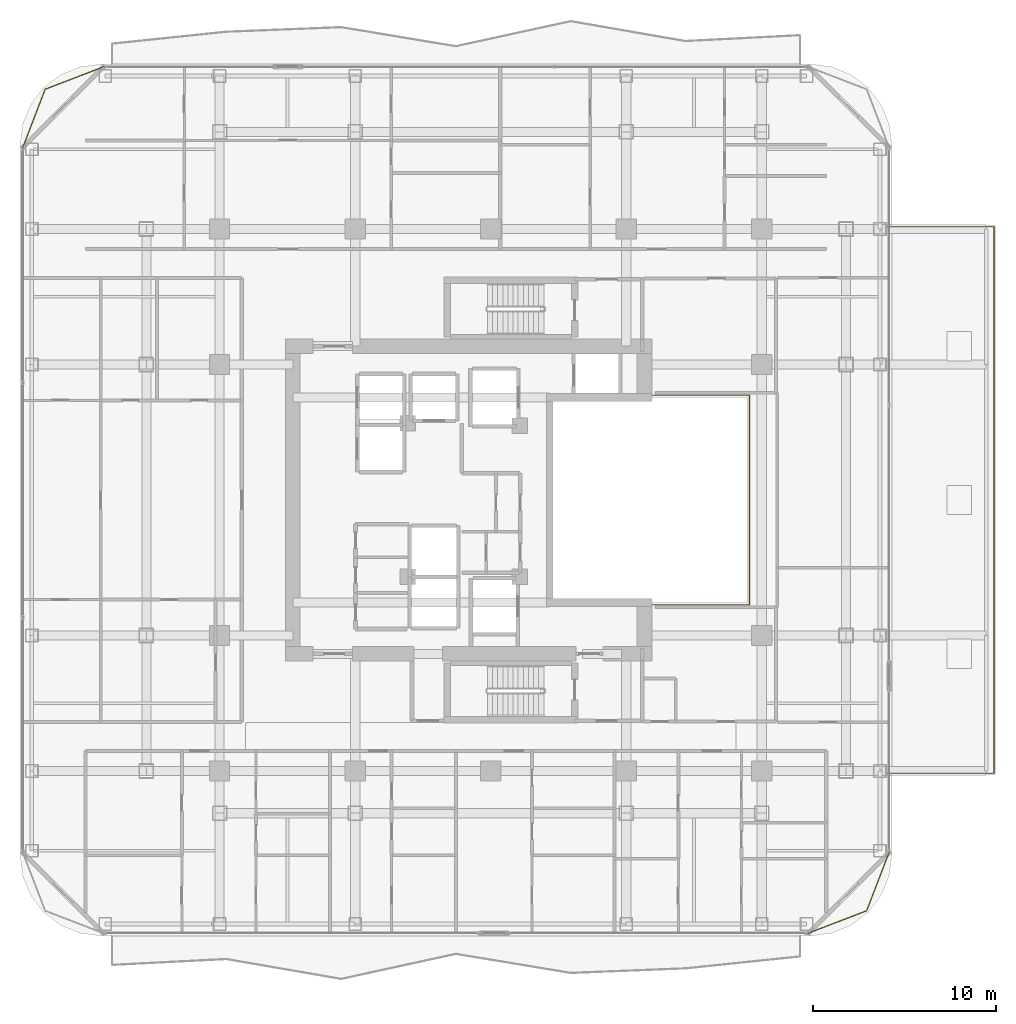
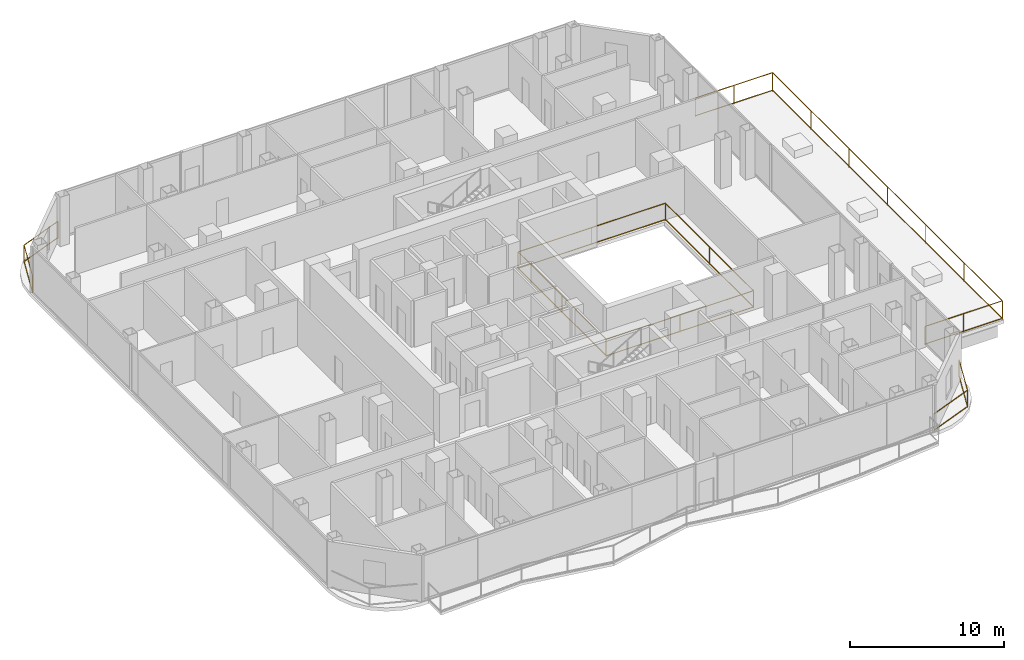
# One storey, part 26 of 27: 4 railings.
"""IFC4 building model written with IfcOpenShell, lengths in metres."""

from ifc_helpers import new_model, si_unit, direction, frame, origin, origin_2d, place, context, subcontext, project, spatial, rectangle, extrude, material, type_object, element, save


model = new_model("IFC4")

# Units and contexts
model_context = context("Model", 3, precision=1e-05, world=origin(), true_north=direction((0.0, 1.0)))
body_context = subcontext(model_context, "Body", "Model", "MODEL_VIEW")
ifc_project = project(units=[si_unit("LENGTHUNIT", "METRE"), si_unit("AREAUNIT", "SQUARE_METRE"), si_unit("VOLUMEUNIT", "CUBIC_METRE"), si_unit("PLANEANGLEUNIT", "RADIAN"), si_unit("MASSUNIT", "GRAM", prefix="KILO")], contexts=[model_context])

# Site, building, storey
site_placement = place(None, origin())
site = spatial("IfcSite", under=ifc_project, at=site_placement, CompositionType="ELEMENT")
building_placement = place(site_placement, origin())
building = spatial("IfcBuilding", under=site, at=building_placement, Name="Khorvyn Point Tower", CompositionType="ELEMENT")
storey_placement = place(building_placement, frame((0.0, 0.0, 168.0)))
storey = spatial("IfcBuildingStorey", under=building, at=storey_placement, Name="L41", CompositionType="ELEMENT", Elevation=168.0)

# Railings
ifc_material_1 = material(Name="Stainless steel 1.4401 and laminated glass", Category="steel")
railing_type_1 = type_object("IfcRailingType", Name="Crystal Atrium Smoke-Rated Perimeter Guardrail 1400", PredefinedType="GUARDRAIL", material=ifc_material_1)
railing_1_placement = place(storey_placement, frame((3.080078125, -5.719970703125, 0.0)))
element("IfcRailing", 1, at=railing_1_placement, inside=storey, type_object=railing_type_1, Name="L41 Crystal Atrium Perimeter Guardrail", PredefinedType="GUARDRAIL", context=body_context, shape_type="SweptSolid", body=[
    extrude(rectangle(XDim=0.048095703125, YDim=0.048095703125, at=origin_2d()), frame((0.0, 0.0, 1.3759765625), z_axis=(1.0, 0.0, 0.0), x_axis=(0.0, 1.0, 0.0)), (0.0, 0.0, 1.0), 11.0400390625),
    extrude(rectangle(XDim=0.048095703125, YDim=0.048095703125, at=origin_2d()), frame((0.0, 0.0, 0.080078125), z_axis=(1.0, 0.0, 0.0), x_axis=(0.0, 1.0, 0.0)), (0.0, 0.0, 1.0), 11.0400390625),
    extrude(rectangle(XDim=0.048095703125, YDim=0.048095703125, at=origin_2d()), frame((11.0400390625, 0.0, 1.3759765625), z_axis=(0.0, 1.0, 0.0), x_axis=(-1.0, 0.0, 0.0)), (0.0, 0.0, 1.0), 11.43994140625),
    extrude(rectangle(XDim=0.048095703125, YDim=0.048095703125, at=origin_2d()), frame((11.0400390625, 0.0, 0.080078125), z_axis=(0.0, 1.0, 0.0), x_axis=(-1.0, 0.0, 0.0)), (0.0, 0.0, 1.0), 11.43994140625),
    extrude(rectangle(XDim=0.048095703125, YDim=0.048095703125, at=origin_2d()), frame((11.0400390625, 11.43994140625, 1.3759765625), z_axis=(-1.0, 0.0, 0.0), x_axis=(0.0, -1.0, 0.0)), (0.0, 0.0, 1.0), 11.0400390625),
    extrude(rectangle(XDim=0.048095703125, YDim=0.048095703125, at=origin_2d()), frame((11.0400390625, 11.43994140625, 0.080078125), z_axis=(-1.0, 0.0, 0.0), x_axis=(0.0, -1.0, 0.0)), (0.0, 0.0, 1.0), 11.0400390625),
    extrude(rectangle(XDim=0.048095703125, YDim=0.048095703125, at=origin_2d()), frame((0.0, 11.43994140625, 1.3759765625), z_axis=(0.0, -1.0, 0.0), x_axis=(1.0, 0.0, 0.0)), (0.0, 0.0, 1.0), 11.409912109375),
    extrude(rectangle(XDim=0.048095703125, YDim=0.048095703125, at=origin_2d()), frame((0.0, 11.43994140625, 0.080078125), z_axis=(0.0, -1.0, 0.0), x_axis=(1.0, 0.0, 0.0)), (0.0, 0.0, 1.0), 11.409912109375),
    extrude(rectangle(XDim=0.0419921875, YDim=0.0419921875, at=origin_2d()), origin(), (0.0, 0.0, 1.0), 1.351806640625),
    extrude(rectangle(XDim=0.0419921875, YDim=0.0419921875, at=origin_2d()), frame((5.52001953125, 0.0, 0.0)), (0.0, 0.0, 1.0), 1.351806640625),
    extrude(rectangle(XDim=0.0419921875, YDim=0.0419921875, at=origin_2d()), frame((11.0400390625, 0.0, 0.0)), (0.0, 0.0, 1.0), 1.351806640625),
    extrude(rectangle(XDim=0.0419921875, YDim=0.0419921875, at=origin_2d()), frame((11.0400390625, 5.719970703125, 0.0)), (0.0, 0.0, 1.0), 1.351806640625),
    extrude(rectangle(XDim=0.0419921875, YDim=0.0419921875, at=origin_2d()), frame((11.0400390625, 11.43994140625, 0.0)), (0.0, 0.0, 1.0), 1.351806640625),
    extrude(rectangle(XDim=0.0419921875, YDim=0.0419921875, at=origin_2d()), frame((5.52001953125, 11.43994140625, 0.0)), (0.0, 0.0, 1.0), 1.351806640625),
    extrude(rectangle(XDim=0.0419921875, YDim=0.0419921875, at=origin_2d()), frame((0.0, 11.43994140625, 0.0)), (0.0, 0.0, 1.0), 1.351806640625),
    extrude(rectangle(XDim=0.0419921875, YDim=0.0419921875, at=origin_2d()), frame((0.0, 5.73486328125, 0.0)), (0.0, 0.0, 1.0), 1.351806640625),
    extrude(rectangle(XDim=0.0419921875, YDim=0.0419921875, at=origin_2d()), frame((0.0, 0.030029296875, 0.0)), (0.0, 0.0, 1.0), 1.351806640625),
])
ifc_material_2 = material(Name="Anodised aluminium 6063-T6 and laminated safety glass", Category="aluminium")
railing_type_2 = type_object("IfcRailingType", Name="Laminated Glass and Aluminium Balcony Guardrail 1400", PredefinedType="BALUSTRADE", material=ifc_material_2)
railing_2_placement = place(storey_placement, frame((-21.075927734375, 23.674072265625, 0.0)))
element("IfcRailing", 2, at=railing_2_placement, inside=storey, type_object=railing_type_2, Name="L41 Rounded Corner Edge Guardrail NW", PredefinedType="BALUSTRADE", context=body_context, shape_type="SweptSolid", body=[
    extrude(rectangle(XDim=0.048095703125, YDim=0.048095703125, at=origin_2d()), frame((0.0, 0.0, 1.3759765625), z_axis=(-0.933598390295, -0.358321148746, 0.0), x_axis=(0.358321148746, -0.933598390295, 0.0)), (0.0, 0.0, 1.0), 3.481689453125),
    extrude(rectangle(XDim=0.048095703125, YDim=0.048095703125, at=origin_2d()), frame((0.0, 0.0, 0.080078125), z_axis=(-0.933598390295, -0.358321148746, 0.0), x_axis=(0.358321148746, -0.933598390295, 0.0)), (0.0, 0.0, 1.0), 3.481689453125),
    extrude(rectangle(XDim=0.048095703125, YDim=0.048095703125, at=origin_2d()), frame((-3.25048828125, -1.24755859375, 1.3759765625), z_axis=(-0.358382264808, -0.933574931257, 0.0), x_axis=(0.933574931257, -0.358382264808, 0.0)), (0.0, 0.0, 1.0), 3.481689453125),
    extrude(rectangle(XDim=0.048095703125, YDim=0.048095703125, at=origin_2d()), frame((-3.25048828125, -1.24755859375, 0.080078125), z_axis=(-0.358382264808, -0.933574931257, 0.0), x_axis=(0.933574931257, -0.358382264808, 0.0)), (0.0, 0.0, 1.0), 3.481689453125),
    extrude(rectangle(XDim=0.0419921875, YDim=0.0419921875, at=origin_2d()), origin(), (0.0, 0.0, 1.0), 1.351806640625),
    extrude(rectangle(XDim=0.0419921875, YDim=0.0419921875, at=origin_2d()), frame((-3.25048828125, -1.24755859375, 0.0)), (0.0, 0.0, 1.0), 1.351806640625),
    extrude(rectangle(XDim=0.0419921875, YDim=0.0419921875, at=origin_2d()), frame((-4.498291015625, -4.498046875, 0.0)), (0.0, 0.0, 1.0), 1.351806640625),
])
railing_3_placement = place(storey_placement, frame((17.27587890625, -23.674072265625, 0.0)))
element("IfcRailing", 3, at=railing_3_placement, inside=storey, type_object=railing_type_2, Name="L41 Rounded Corner Edge Guardrail SE", PredefinedType="BALUSTRADE", context=body_context, shape_type="SweptSolid", body=[
    extrude(rectangle(XDim=0.048095703125, YDim=0.048095703125, at=origin_2d()), frame((0.0, 0.0, 1.3759765625), z_axis=(0.933598390295, 0.358321148746, 0.0), x_axis=(-0.358321148746, 0.933598390295, 0.0)), (0.0, 0.0, 1.0), 3.481689453125),
    extrude(rectangle(XDim=0.048095703125, YDim=0.048095703125, at=origin_2d()), frame((0.0, 0.0, 0.080078125), z_axis=(0.933598390295, 0.358321148746, 0.0), x_axis=(-0.358321148746, 0.933598390295, 0.0)), (0.0, 0.0, 1.0), 3.481689453125),
    extrude(rectangle(XDim=0.048095703125, YDim=0.048095703125, at=origin_2d()), frame((3.25048828125, 1.24755859375, 1.3759765625), z_axis=(0.358382264808, 0.933574931257, 0.0), x_axis=(-0.933574931257, 0.358382264808, 0.0)), (0.0, 0.0, 1.0), 3.481689453125),
    extrude(rectangle(XDim=0.048095703125, YDim=0.048095703125, at=origin_2d()), frame((3.25048828125, 1.24755859375, 0.080078125), z_axis=(0.358382264808, 0.933574931257, 0.0), x_axis=(-0.933574931257, 0.358382264808, 0.0)), (0.0, 0.0, 1.0), 3.481689453125),
    extrude(rectangle(XDim=0.0419921875, YDim=0.0419921875, at=origin_2d()), origin(), (0.0, 0.0, 1.0), 1.351806640625),
    extrude(rectangle(XDim=0.0419921875, YDim=0.0419921875, at=origin_2d()), frame((3.25048828125, 1.24755859375, 0.0)), (0.0, 0.0, 1.0), 1.351806640625),
    extrude(rectangle(XDim=0.0419921875, YDim=0.0419921875, at=origin_2d()), frame((4.498291015625, 4.498046875, 0.0)), (0.0, 0.0, 1.0), 1.351806640625),
])
ifc_material_3 = material(Name="Stainless steel 1.4401", Category="steel")
railing_type_3 = type_object("IfcRailingType", Name="School Terrace Anti-Climb Safety Guardrail 1500", PredefinedType="GUARDRAIL", material=ifc_material_3)
railing_4_placement = place(storey_placement, frame((21.669921875, -14.919921875, 0.0)))
element("IfcRailing", 4, at=railing_4_placement, inside=storey, type_object=railing_type_3, Name="L41 Setback Terrace Guardrail", PredefinedType="GUARDRAIL", context=body_context, shape_type="SweptSolid", body=[
    extrude(rectangle(XDim=0.048095703125, YDim=0.048095703125, at=origin_2d()), frame((0.0, 0.0, 1.47607421875), z_axis=(1.0, 0.0, 0.0), x_axis=(0.0, 1.0, 0.0)), (0.0, 0.0, 1.0), 5.800048828125),
    extrude(rectangle(XDim=0.048095703125, YDim=0.048095703125, at=origin_2d()), frame((0.0, 0.0, 0.080078125), z_axis=(1.0, 0.0, 0.0), x_axis=(0.0, 1.0, 0.0)), (0.0, 0.0, 1.0), 5.800048828125),
    extrude(rectangle(XDim=0.048095703125, YDim=0.048095703125, at=origin_2d()), frame((5.800048828125, 0.0, 1.47607421875), z_axis=(0.0, 1.0, 0.0), x_axis=(-1.0, 0.0, 0.0)), (0.0, 0.0, 1.0), 29.83984375),
    extrude(rectangle(XDim=0.048095703125, YDim=0.048095703125, at=origin_2d()), frame((5.800048828125, 0.0, 0.080078125), z_axis=(0.0, 1.0, 0.0), x_axis=(-1.0, 0.0, 0.0)), (0.0, 0.0, 1.0), 29.83984375),
    extrude(rectangle(XDim=0.048095703125, YDim=0.048095703125, at=origin_2d()), frame((5.800048828125, 29.83984375, 1.47607421875), z_axis=(-1.0, 0.0, 0.0), x_axis=(0.0, -1.0, 0.0)), (0.0, 0.0, 1.0), 5.800048828125),
    extrude(rectangle(XDim=0.048095703125, YDim=0.048095703125, at=origin_2d()), frame((5.800048828125, 29.83984375, 0.080078125), z_axis=(-1.0, 0.0, 0.0), x_axis=(0.0, -1.0, 0.0)), (0.0, 0.0, 1.0), 5.800048828125),
    extrude(rectangle(XDim=0.0419921875, YDim=0.0419921875, at=origin_2d()), origin(), (0.0, 0.0, 1.0), 1.451904296875),
    extrude(rectangle(XDim=0.0419921875, YDim=0.0419921875, at=origin_2d()), frame((2.89990234375, 0.0, 0.0)), (0.0, 0.0, 1.0), 1.451904296875),
    extrude(rectangle(XDim=0.0419921875, YDim=0.0419921875, at=origin_2d()), frame((5.800048828125, 0.0, 0.0)), (0.0, 0.0, 1.0), 1.451904296875),
    extrude(rectangle(XDim=0.0419921875, YDim=0.0419921875, at=origin_2d()), frame((5.800048828125, 4.973388671875, 0.0)), (0.0, 0.0, 1.0), 1.451904296875),
    extrude(rectangle(XDim=0.0419921875, YDim=0.0419921875, at=origin_2d()), frame((5.800048828125, 9.946533203125, 0.0)), (0.0, 0.0, 1.0), 1.451904296875),
    extrude(rectangle(XDim=0.0419921875, YDim=0.0419921875, at=origin_2d()), frame((5.800048828125, 14.919921875, 0.0)), (0.0, 0.0, 1.0), 1.451904296875),
    extrude(rectangle(XDim=0.0419921875, YDim=0.0419921875, at=origin_2d()), frame((5.800048828125, 19.893310546875, 0.0)), (0.0, 0.0, 1.0), 1.451904296875),
    extrude(rectangle(XDim=0.0419921875, YDim=0.0419921875, at=origin_2d()), frame((5.800048828125, 24.866455078125, 0.0)), (0.0, 0.0, 1.0), 1.451904296875),
    extrude(rectangle(XDim=0.0419921875, YDim=0.0419921875, at=origin_2d()), frame((5.800048828125, 29.83984375, 0.0)), (0.0, 0.0, 1.0), 1.451904296875),
    extrude(rectangle(XDim=0.0419921875, YDim=0.0419921875, at=origin_2d()), frame((2.89990234375, 29.83984375, 0.0)), (0.0, 0.0, 1.0), 1.451904296875),
    extrude(rectangle(XDim=0.0419921875, YDim=0.0419921875, at=origin_2d()), frame((0.0, 29.83984375, 0.0)), (0.0, 0.0, 1.0), 1.451904296875),
])

save(model, "model.ifc")
